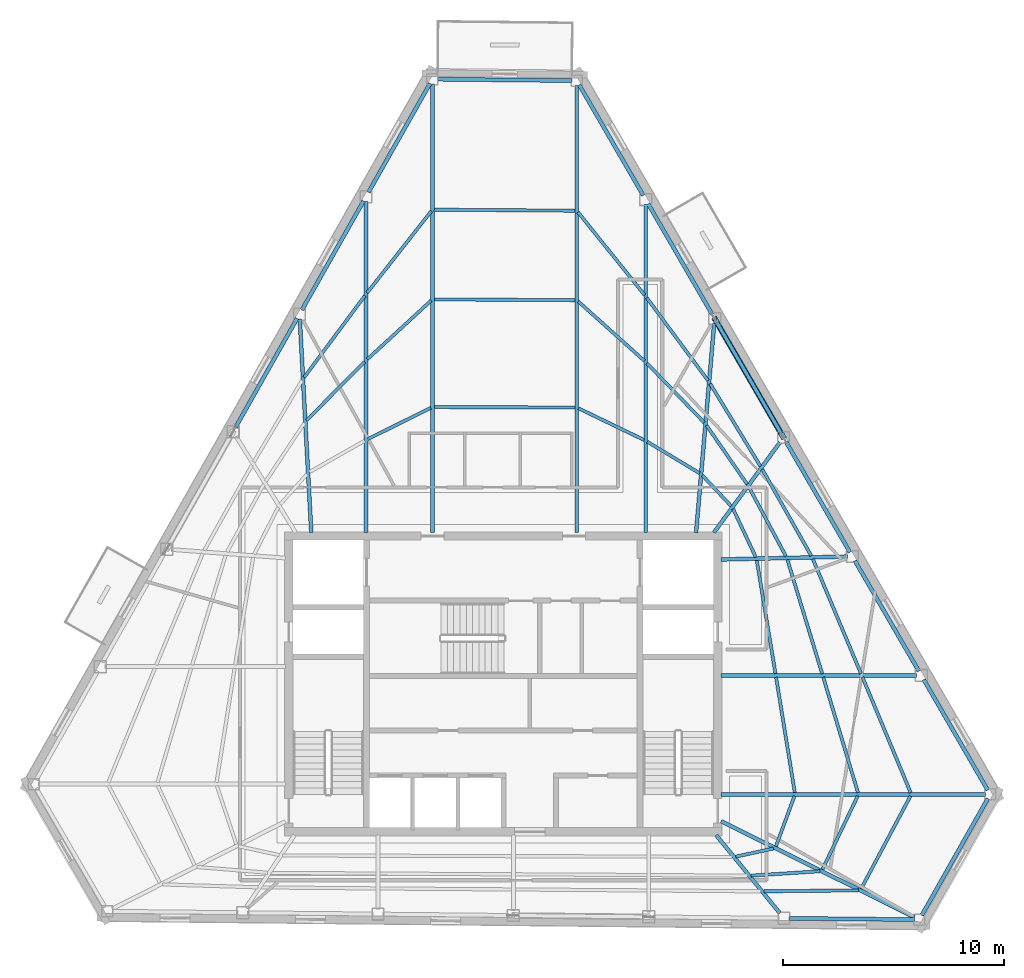
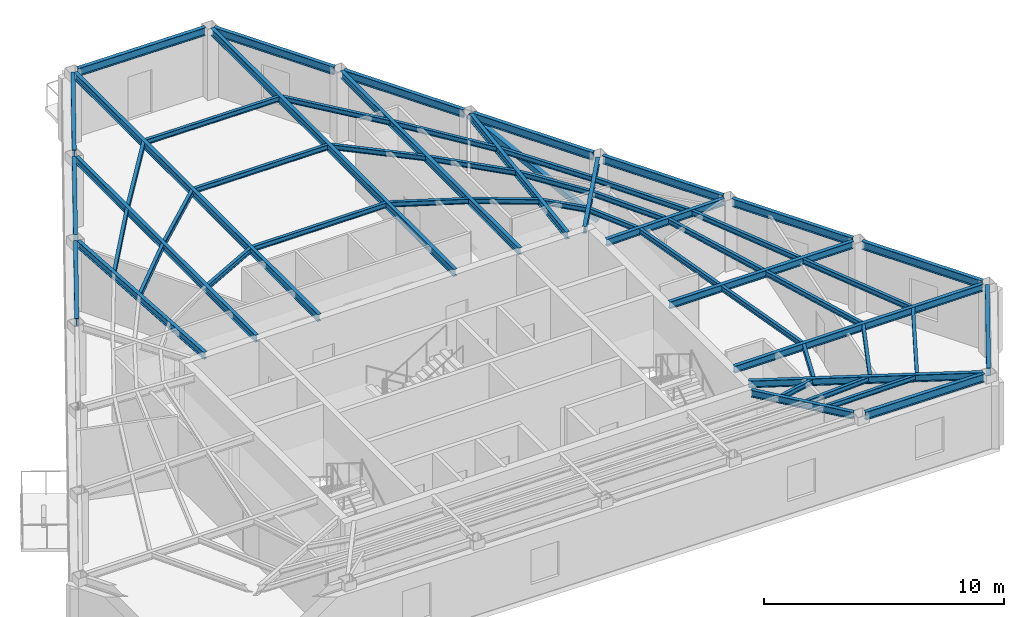
# One storey, part 2 of 10: 56 beams, 1 member.
"""IFC4 building model written with IfcOpenShell, lengths in metres."""

from ifc_helpers import new_model, si_unit, direction, frame, origin, origin_2d, place, context, subcontext, project, spatial, hollow_rectangle, i_section, extrude, material, material_profile, profile_set, type_object, element, save


model = new_model("IFC4")

# Units and contexts
model_context = context("Model", 3, precision=1e-05, world=origin(), true_north=direction((0.0, 1.0)))
body_context = subcontext(model_context, "Body", "Model", "MODEL_VIEW")
ifc_project = project(units=[si_unit("LENGTHUNIT", "METRE"), si_unit("AREAUNIT", "SQUARE_METRE"), si_unit("VOLUMEUNIT", "CUBIC_METRE"), si_unit("PLANEANGLEUNIT", "RADIAN"), si_unit("MASSUNIT", "GRAM", prefix="KILO")], contexts=[model_context])

# Site, building, storey
site_placement = place(None, origin())
site = spatial("IfcSite", under=ifc_project, at=site_placement, CompositionType="ELEMENT")
building_placement = place(site_placement, origin())
building = spatial("IfcBuilding", under=site, at=building_placement, Name="Kavelnor Concourse Tower", CompositionType="ELEMENT")
storey_placement = place(building_placement, frame((0.0, 0.0, 247.199951171875)))
storey = spatial("IfcBuildingStorey", under=building, at=storey_placement, Name="L62", CompositionType="ELEMENT", Elevation=247.199951171875)

# Beams
ifc_material = material(Name="Steel Grade 350", Category="steel")
ifc_material_profile_1 = material_profile(ifc_material, i_section(OverallWidth=0.14599609375, OverallDepth=0.256103515625, WebThickness=0.00634765625, FlangeThickness=0.010986328125, at=origin_2d()), Name="250UB37")
ifc_profile_set_1 = profile_set([ifc_material_profile_1], Name="Steel Grade 350")
beam_type_1 = type_object("IfcBeamType", Name="BM-JOIST-250", PredefinedType="JOIST", material=ifc_profile_set_1)
beam_1_placement = place(storey_placement, frame((48.526611328125, 8.279541015625, 3.48193359375), z_axis=(0.977382921626, 0.211477243489, 0.0), x_axis=(-0.211477243489, 0.977382921626, 0.0)))
element("IfcBeam", 1, at=beam_1_placement, inside=storey, type_object=beam_type_1, Name="L62 Secondary Composite Joist 07-1", PredefinedType="JOIST", context=body_context, shape_type="SweptSolid", body=[
    extrude(i_section(OverallWidth=0.14599609375, OverallDepth=0.256103515625, WebThickness=0.00634765625, FlangeThickness=0.010986328125, at=origin_2d()), origin(), (0.0, 0.0, 1.0), 1.74560546875),
])
beam_2_placement = place(storey_placement, frame((49.22021484375, 7.419921875, 3.48193359375), z_axis=(0.997969082864, 0.063700154225, 0.0), x_axis=(-0.063700154225, 0.997969082864, 0.0)))
element("IfcBeam", 2, at=beam_2_placement, inside=storey, type_object=beam_type_1, Name="L62 Secondary Composite Joist 07-2", PredefinedType="JOIST", context=body_context, shape_type="SweptSolid", body=[
    extrude(i_section(OverallWidth=0.14599609375, OverallDepth=0.256103515625, WebThickness=0.00634765625, FlangeThickness=0.010986328125, at=origin_2d()), origin(), (0.0, 0.0, 1.0), 3.115966796875),
])
beam_3_placement = place(storey_placement, frame((49.796875, 6.70947265625, 3.48193359375), z_axis=(0.999945565205, 0.010433917119, 0.0), x_axis=(-0.010433917119, 0.999945565205, 0.0)))
element("IfcBeam", 3, at=beam_3_placement, inside=storey, type_object=beam_type_1, Name="L62 Secondary Composite Joist 07-3", PredefinedType="JOIST", context=body_context, shape_type="SweptSolid", body=[
    extrude(i_section(OverallWidth=0.14599609375, OverallDepth=0.256103515625, WebThickness=0.00634765625, FlangeThickness=0.010986328125, at=origin_2d()), origin(), (0.0, 0.0, 1.0), 4.281982421875),
])
beam_4_placement = place(storey_placement, frame((50.34130859375, 8.742919921875, 3.48193359375), z_axis=(0.345598213723, 0.938382584382, 0.0), x_axis=(-0.938382584382, 0.345598213723, 0.0)))
element("IfcBeam", 4, at=beam_4_placement, inside=storey, type_object=beam_type_1, Name="L62 Secondary Composite Joist 08-1", PredefinedType="JOIST", context=body_context, shape_type="SweptSolid", body=[
    extrude(i_section(OverallWidth=0.14599609375, OverallDepth=0.256103515625, WebThickness=0.00634765625, FlangeThickness=0.010986328125, at=origin_2d()), origin(), (0.0, 0.0, 1.0), 2.4287109375),
])
beam_5_placement = place(storey_placement, frame((52.447265625, 7.697509765625, 3.48193359375), z_axis=(0.432681605604, 0.90154679755, 0.0), x_axis=(-0.90154679755, 0.432681605604, 0.0)))
element("IfcBeam", 5, at=beam_5_placement, inside=storey, type_object=beam_type_1, Name="L62 Secondary Composite Joist 08-2", PredefinedType="JOIST", context=body_context, shape_type="SweptSolid", body=[
    extrude(i_section(OverallWidth=0.14599609375, OverallDepth=0.256103515625, WebThickness=0.00634765625, FlangeThickness=0.010986328125, at=origin_2d()), origin(), (0.0, 0.0, 1.0), 3.690673828125),
])
beam_6_placement = place(storey_placement, frame((54.19921875, 6.827392578125, 3.48193359375), z_axis=(0.469716824249, 0.882817141325, 0.0), x_axis=(-0.882817141325, 0.469716824249, 0.0)))
element("IfcBeam", 6, at=beam_6_placement, inside=storey, type_object=beam_type_1, Name="L62 Secondary Composite Joist 08-3", PredefinedType="JOIST", context=body_context, shape_type="SweptSolid", body=[
    extrude(i_section(OverallWidth=0.14599609375, OverallDepth=0.256103515625, WebThickness=0.00634765625, FlangeThickness=0.010986328125, at=origin_2d()), origin(), (0.0, 0.0, 1.0), 4.75634765625),
])
beam_7_placement = place(storey_placement, frame((51.196044921875, 11.1796875, 3.48193359375), z_axis=(-0.160101543295, 0.987100550012, 0.0), x_axis=(-0.987100550012, -0.160101543295, 0.0)))
element("IfcBeam", 7, at=beam_7_placement, inside=storey, type_object=beam_type_1, Name="L62 Secondary Composite Joist 09-1", PredefinedType="JOIST", context=body_context, shape_type="SweptSolid", body=[
    extrude(i_section(OverallWidth=0.14599609375, OverallDepth=0.256103515625, WebThickness=0.00634765625, FlangeThickness=0.010986328125, at=origin_2d()), origin(), (0.0, 0.0, 1.0), 5.289794921875),
])
beam_8_placement = place(storey_placement, frame((54.05615234375, 11.17724609375, 3.48193359375), z_axis=(-0.288439182101, 0.957498218395, 0.0), x_axis=(-0.957498218395, -0.288439182101, 0.0)))
element("IfcBeam", 8, at=beam_8_placement, inside=storey, type_object=beam_type_1, Name="L62 Secondary Composite Joist 09-2", PredefinedType="JOIST", context=body_context, shape_type="SweptSolid", body=[
    extrude(i_section(OverallWidth=0.14599609375, OverallDepth=0.256103515625, WebThickness=0.00634765625, FlangeThickness=0.010986328125, at=origin_2d()), origin(), (0.0, 0.0, 1.0), 5.45849609375),
])
beam_9_placement = place(storey_placement, frame((56.4404296875, 11.174560546875, 3.48193359375), z_axis=(-0.384939515771, 0.922941801631, 0.0), x_axis=(-0.922941801631, -0.384939515771, 0.0)))
element("IfcBeam", 9, at=beam_9_placement, inside=storey, type_object=beam_type_1, Name="L62 Secondary Composite Joist 09-3", PredefinedType="JOIST", context=body_context, shape_type="SweptSolid", body=[
    extrude(i_section(OverallWidth=0.14599609375, OverallDepth=0.256103515625, WebThickness=0.00634765625, FlangeThickness=0.010986328125, at=origin_2d()), origin(), (0.0, 0.0, 1.0), 5.668701171875),
])
beam_10_placement = place(storey_placement, frame((50.322509765625, 16.563232421875, 3.48193359375), z_axis=(-0.163056544372, 0.986616725653, 0.0), x_axis=(-0.986616725653, -0.163056544372, 0.0)))
element("IfcBeam", 10, at=beam_10_placement, inside=storey, type_object=beam_type_1, Name="L62 Secondary Composite Joist 10-1", PredefinedType="JOIST", context=body_context, shape_type="SweptSolid", body=[
    extrude(i_section(OverallWidth=0.14599609375, OverallDepth=0.256103515625, WebThickness=0.00634765625, FlangeThickness=0.010986328125, at=origin_2d()), origin(), (0.0, 0.0, 1.0), 5.191162109375),
])
beam_11_placement = place(storey_placement, frame((52.43408203125, 16.560791015625, 3.48193359375), z_axis=(-0.291784881009, 0.956483969136, 0.0), x_axis=(-0.956483969136, -0.291784881009, 0.0)))
element("IfcBeam", 11, at=beam_11_placement, inside=storey, type_object=beam_type_1, Name="L62 Secondary Composite Joist 10-2", PredefinedType="JOIST", context=body_context, shape_type="SweptSolid", body=[
    extrude(i_section(OverallWidth=0.14599609375, OverallDepth=0.256103515625, WebThickness=0.00634765625, FlangeThickness=0.010986328125, at=origin_2d()), origin(), (0.0, 0.0, 1.0), 5.392578125),
])
beam_12_placement = place(storey_placement, frame((54.19482421875, 16.557861328125, 3.48193359375), z_axis=(-0.387498607619, 0.921870288649, 0.0), x_axis=(-0.921870288649, -0.387498607619, 0.0)))
element("IfcBeam", 12, at=beam_12_placement, inside=storey, type_object=beam_type_1, Name="L62 Secondary Composite Joist 10-3", PredefinedType="JOIST", context=body_context, shape_type="SweptSolid", body=[
    extrude(i_section(OverallWidth=0.14599609375, OverallDepth=0.256103515625, WebThickness=0.00634765625, FlangeThickness=0.010986328125, at=origin_2d()), origin(), (0.0, 0.0, 1.0), 5.630126953125),
])
beam_13_placement = place(storey_placement, frame((49.427734375, 21.83984375, 3.48193359375), z_axis=(-0.425708960765, 0.90486014429, 0.0), x_axis=(-0.90486014429, -0.425708960765, 0.0)))
element("IfcBeam", 13, at=beam_13_placement, inside=storey, type_object=beam_type_1, Name="L62 Secondary Composite Joist 11-1", PredefinedType="JOIST", context=body_context, shape_type="SweptSolid", body=[
    extrude(i_section(OverallWidth=0.14599609375, OverallDepth=0.256103515625, WebThickness=0.00634765625, FlangeThickness=0.010986328125, at=origin_2d()), origin(), (0.0, 0.0, 1.0), 2.40283203125),
])
beam_14_placement = place(storey_placement, frame((50.7978515625, 21.869384765625, 3.48193359375), z_axis=(-0.472003476845, 0.881596686612, 0.0), x_axis=(-0.881596686612, -0.472003476845, 0.0)))
element("IfcBeam", 14, at=beam_14_placement, inside=storey, type_object=beam_type_1, Name="L62 Secondary Composite Joist 11-2", PredefinedType="JOIST", context=body_context, shape_type="SweptSolid", body=[
    extrude(i_section(OverallWidth=0.14599609375, OverallDepth=0.256103515625, WebThickness=0.00634765625, FlangeThickness=0.010986328125, at=origin_2d()), origin(), (0.0, 0.0, 1.0), 3.544189453125),
])
beam_15_placement = place(storey_placement, frame((51.94091796875, 21.89501953125, 3.48193359375), z_axis=(-0.492892079031, 0.870090454165, 0.0), x_axis=(-0.870090454165, -0.492892079031, 0.0)))
element("IfcBeam", 15, at=beam_15_placement, inside=storey, type_object=beam_type_1, Name="L62 Secondary Composite Joist 11-3", PredefinedType="JOIST", context=body_context, shape_type="SweptSolid", body=[
    extrude(i_section(OverallWidth=0.14599609375, OverallDepth=0.256103515625, WebThickness=0.00634765625, FlangeThickness=0.010986328125, at=origin_2d()), origin(), (0.0, 0.0, 1.0), 4.4990234375),
])
beam_16_placement = place(storey_placement, frame((48.313720703125, 24.148193359375, 3.48193359375), z_axis=(-0.684586484083, 0.728931646871, 0.0), x_axis=(-0.728931646871, -0.684586484083, 0.0)))
element("IfcBeam", 16, at=beam_16_placement, inside=storey, type_object=beam_type_1, Name="L62 Secondary Composite Joist 12-1", PredefinedType="JOIST", context=body_context, shape_type="SweptSolid", body=[
    extrude(i_section(OverallWidth=0.14599609375, OverallDepth=0.256103515625, WebThickness=0.00634765625, FlangeThickness=0.010986328125, at=origin_2d()), origin(), (0.0, 0.0, 1.0), 1.8994140625),
])
beam_17_placement = place(storey_placement, frame((49.03955078125, 25.133544921875, 3.48193359375), z_axis=(-0.567958484304, 0.823057203423, 0.0), x_axis=(-0.823057203423, -0.567958484304, 0.0)))
element("IfcBeam", 17, at=beam_17_placement, inside=storey, type_object=beam_type_1, Name="L62 Secondary Composite Joist 12-2", PredefinedType="JOIST", context=body_context, shape_type="SweptSolid", body=[
    extrude(i_section(OverallWidth=0.14599609375, OverallDepth=0.256103515625, WebThickness=0.00634765625, FlangeThickness=0.010986328125, at=origin_2d()), origin(), (0.0, 0.0, 1.0), 3.23779296875),
])
beam_18_placement = place(storey_placement, frame((49.640380859375, 25.950927734375, 3.48193359375), z_axis=(-0.520484507177, 0.853871113102, 0.0), x_axis=(-0.853871113102, -0.520484507177, 0.0)))
element("IfcBeam", 18, at=beam_18_placement, inside=storey, type_object=beam_type_1, Name="L62 Secondary Composite Joist 12-3", PredefinedType="JOIST", context=body_context, shape_type="SweptSolid", body=[
    extrude(i_section(OverallWidth=0.14599609375, OverallDepth=0.256103515625, WebThickness=0.00634765625, FlangeThickness=0.010986328125, at=origin_2d()), origin(), (0.0, 0.0, 1.0), 4.379150390625),
])
beam_19_placement = place(storey_placement, frame((46.886962890625, 25.634521484375, 3.48193359375), z_axis=(-0.857118418105, 0.51511942047, 0.0), x_axis=(-0.51511942047, -0.857118418105, 0.0)))
element("IfcBeam", 19, at=beam_19_placement, inside=storey, type_object=beam_type_1, Name="L62 Secondary Composite Joist 13-1", PredefinedType="JOIST", context=body_context, shape_type="SweptSolid", body=[
    extrude(i_section(OverallWidth=0.14599609375, OverallDepth=0.256103515625, WebThickness=0.00634765625, FlangeThickness=0.010986328125, at=origin_2d()), origin(), (0.0, 0.0, 1.0), 2.7626953125),
])
beam_20_placement = place(storey_placement, frame((47.097412109375, 27.9248046875, 3.48193359375), z_axis=(-0.694957790397, 0.719050533389, 0.0), x_axis=(-0.719050533389, -0.694957790397, 0.0)))
element("IfcBeam", 20, at=beam_20_placement, inside=storey, type_object=beam_type_1, Name="L62 Secondary Composite Joist 13-2", PredefinedType="JOIST", context=body_context, shape_type="SweptSolid", body=[
    extrude(i_section(OverallWidth=0.14599609375, OverallDepth=0.256103515625, WebThickness=0.00634765625, FlangeThickness=0.010986328125, at=origin_2d()), origin(), (0.0, 0.0, 1.0), 3.72900390625),
])
beam_21_placement = place(storey_placement, frame((47.26953125, 29.826171875, 3.48193359375), z_axis=(-0.594999435266, 0.803726117551, 0.0), x_axis=(-0.803726117551, -0.594999435266, 0.0)))
element("IfcBeam", 21, at=beam_21_placement, inside=storey, type_object=beam_type_1, Name="L62 Secondary Composite Joist 13-3", PredefinedType="JOIST", context=body_context, shape_type="SweptSolid", body=[
    extrude(i_section(OverallWidth=0.14599609375, OverallDepth=0.256103515625, WebThickness=0.00634765625, FlangeThickness=0.010986328125, at=origin_2d()), origin(), (0.0, 0.0, 1.0), 4.65869140625),
])
beam_22_placement = place(storey_placement, frame((44.375, 27.135498046875, 3.48193359375), z_axis=(-0.900354750959, 0.435156664233, 0.0), x_axis=(-0.435156664233, -0.900354750959, 0.0)))
element("IfcBeam", 22, at=beam_22_placement, inside=storey, type_object=beam_type_1, Name="L62 Secondary Composite Joist 14-1", PredefinedType="JOIST", context=body_context, shape_type="SweptSolid", body=[
    extrude(i_section(OverallWidth=0.14599609375, OverallDepth=0.256103515625, WebThickness=0.00634765625, FlangeThickness=0.010986328125, at=origin_2d()), origin(), (0.0, 0.0, 1.0), 3.299560546875),
])
beam_23_placement = place(storey_placement, frame((44.3876953125, 30.719970703125, 3.48193359375), z_axis=(-0.744128671931, 0.668036316087, 0.0), x_axis=(-0.668036316087, -0.744128671931, 0.0)))
element("IfcBeam", 23, at=beam_23_placement, inside=storey, type_object=beam_type_1, Name="L62 Secondary Composite Joist 14-2", PredefinedType="JOIST", context=body_context, shape_type="SweptSolid", body=[
    extrude(i_section(OverallWidth=0.14599609375, OverallDepth=0.256103515625, WebThickness=0.00634765625, FlangeThickness=0.010986328125, at=origin_2d()), origin(), (0.0, 0.0, 1.0), 4.026611328125),
])
beam_24_placement = place(storey_placement, frame((44.3974609375, 33.7001953125, 3.48193359375), z_axis=(-0.626846391462, 0.779142863351, 0.0), x_axis=(-0.779142863351, -0.626846391462, 0.0)))
element("IfcBeam", 24, at=beam_24_placement, inside=storey, type_object=beam_type_1, Name="L62 Secondary Composite Joist 14-3", PredefinedType="JOIST", context=body_context, shape_type="SweptSolid", body=[
    extrude(i_section(OverallWidth=0.14599609375, OverallDepth=0.256103515625, WebThickness=0.00634765625, FlangeThickness=0.010986328125, at=origin_2d()), origin(), (0.0, 0.0, 1.0), 4.810791015625),
])
for number, where, z_axis, x_axis, name in (
    (25, (41.248291015625, 28.607421875, 3.48193359375), (-0.999995868811, 0.002874432399, 0.0), (-0.002874432399, -0.999995868811, 0.0), "L62 Secondary Composite Joist 15-1"),
    (26, (41.248291015625, 33.465087890625, 3.48193359375), (-0.999985810221, 0.005327227795, 0.0), (-0.005327227795, -0.999985810221, 0.0), "L62 Secondary Composite Joist 15-2"),
):
    element("IfcBeam", number, at=place(storey_placement, frame(where, z_axis=z_axis, x_axis=x_axis)), inside=storey, type_object=beam_type_1, Name=name, PredefinedType="JOIST", context=body_context, shape_type="SweptSolid", body=[
        extrude(i_section(OverallWidth=0.14599609375, OverallDepth=0.256103515625, WebThickness=0.00634765625, FlangeThickness=0.010986328125, at=origin_2d()), origin(), (0.0, 0.0, 1.0), 6.3701171875),
    ])
beam_25_placement = place(storey_placement, frame((41.248291015625, 37.51318359375, 3.48193359375), z_axis=(-0.999972644034, 0.007396700916, 0.0), x_axis=(-0.007396700916, -0.999972644034, 0.0)))
element("IfcBeam", 27, at=beam_25_placement, inside=storey, type_object=beam_type_1, Name="L62 Secondary Composite Joist 15-3", PredefinedType="JOIST", context=body_context, shape_type="SweptSolid", body=[
    extrude(i_section(OverallWidth=0.14599609375, OverallDepth=0.256103515625, WebThickness=0.00634765625, FlangeThickness=0.010986328125, at=origin_2d()), origin(), (0.0, 0.0, 1.0), 6.370361328125),
])
beam_26_placement = place(storey_placement, frame((34.72265625, 28.589599609375, 3.48193359375), z_axis=(-0.896179435313, -0.443691807139, 0.0), x_axis=(0.443691807139, -0.896179435313, 0.0)))
element("IfcBeam", 28, at=beam_26_placement, inside=storey, type_object=beam_type_1, Name="L62 Secondary Composite Joist 16-1", PredefinedType="JOIST", context=body_context, shape_type="SweptSolid", body=[
    extrude(i_section(OverallWidth=0.14599609375, OverallDepth=0.256103515625, WebThickness=0.00634765625, FlangeThickness=0.010986328125, at=origin_2d()), origin(), (0.0, 0.0, 1.0), 3.19189453125),
])
beam_27_placement = place(storey_placement, frame((34.735595703125, 33.444091796875, 3.48193359375), z_axis=(-0.736091063276, -0.676882520505, 0.0), x_axis=(0.676882520505, -0.736091063276, 0.0)))
element("IfcBeam", 29, at=beam_27_placement, inside=storey, type_object=beam_type_1, Name="L62 Secondary Composite Joist 16-2", PredefinedType="JOIST", context=body_context, shape_type="SweptSolid", body=[
    extrude(i_section(OverallWidth=0.14599609375, OverallDepth=0.256103515625, WebThickness=0.00634765625, FlangeThickness=0.010986328125, at=origin_2d()), origin(), (0.0, 0.0, 1.0), 3.92138671875),
])
beam_28_placement = place(storey_placement, frame((34.745361328125, 37.49658203125, 3.48193359375), z_axis=(-0.61770236715, -0.786411969401, 0.0), x_axis=(0.786411969401, -0.61770236715, 0.0)))
element("IfcBeam", 30, at=beam_28_placement, inside=storey, type_object=beam_type_1, Name="L62 Secondary Composite Joist 16-3", PredefinedType="JOIST", context=body_context, shape_type="SweptSolid", body=[
    extrude(i_section(OverallWidth=0.14599609375, OverallDepth=0.256103515625, WebThickness=0.00634765625, FlangeThickness=0.010986328125, at=origin_2d()), origin(), (0.0, 0.0, 1.0), 4.70458984375),
])
beam_29_placement = place(storey_placement, frame((31.730712890625, 30.67626953125, 3.48193359375), z_axis=(-0.704649922193, -0.709555133272, 0.0), x_axis=(0.709555133272, -0.704649922193, 0.0)))
element("IfcBeam", 31, at=beam_29_placement, inside=storey, type_object=beam_type_1, Name="L62 Secondary Composite Joist 17-2", PredefinedType="JOIST", context=body_context, shape_type="SweptSolid", body=[
    extrude(i_section(OverallWidth=0.14599609375, OverallDepth=0.256103515625, WebThickness=0.00634765625, FlangeThickness=0.010986328125, at=origin_2d()), origin(), (0.0, 0.0, 1.0), 3.73291015625),
])
beam_30_placement = place(storey_placement, frame((31.739501953125, 33.66650390625, 3.48193359375), z_axis=(-0.59710590541, -0.802162413558, 0.0), x_axis=(0.802162413558, -0.59710590541, 0.0)))
element("IfcBeam", 32, at=beam_30_placement, inside=storey, type_object=beam_type_1, Name="L62 Secondary Composite Joist 17-3", PredefinedType="JOIST", context=body_context, shape_type="SweptSolid", body=[
    extrude(i_section(OverallWidth=0.14599609375, OverallDepth=0.256103515625, WebThickness=0.00634765625, FlangeThickness=0.010986328125, at=origin_2d()), origin(), (0.0, 0.0, 1.0), 4.60888671875),
])
ifc_material_profile_2 = material_profile(ifc_material, i_section(OverallWidth=0.172119140625, OverallDepth=0.35888671875, WebThickness=0.008056640625, FlangeThickness=0.012939453125, at=origin_2d()), Name="360UB56")
ifc_profile_set_2 = profile_set([ifc_material_profile_2], Name="Steel Grade 350")
beam_type_2 = type_object("IfcBeamType", Name="BM-PRIMARY-360", PredefinedType="BEAM", material=ifc_profile_set_2)
beam_31_placement = place(storey_placement, frame((34.796142578125, 22.93994140625, 3.4306640625), z_axis=(0.0, 1.0, 0.0), x_axis=(-1.0, 0.0, 0.0)))
element("IfcBeam", 33, at=beam_31_placement, inside=storey, type_object=beam_type_2, Name="L62 Primary Floor Girder F0-B0", PredefinedType="BEAM", context=body_context, shape_type="SweptSolid", body=[
    extrude(i_section(OverallWidth=0.172119140625, OverallDepth=0.35888671875, WebThickness=0.008056640625, FlangeThickness=0.012939453125, at=origin_2d()), origin(), (0.0, 0.0, 1.0), 20.306884765625),
])
beam_32_placement = place(storey_placement, frame((31.78857421875, 22.93994140625, 3.4306640625), z_axis=(0.0, 1.0, 0.0), x_axis=(-1.0, 0.0, 0.0)))
element("IfcBeam", 34, at=beam_32_placement, inside=storey, type_object=beam_type_2, Name="L62 Primary Floor Girder F0-B1", PredefinedType="BEAM", context=body_context, shape_type="SweptSolid", body=[
    extrude(i_section(OverallWidth=0.172119140625, OverallDepth=0.35888671875, WebThickness=0.008056640625, FlangeThickness=0.012939453125, at=origin_2d()), origin(), (0.0, 0.0, 1.0), 14.9892578125),
])
beam_33_placement = place(storey_placement, frame((29.313232421875, 22.940185546875, 3.4306640625), z_axis=(-0.053740228526, 0.998554949834, 0.0), x_axis=(-0.998554949834, -0.053740228526, 0.0)))
element("IfcBeam", 35, at=beam_33_placement, inside=storey, type_object=beam_type_2, Name="L62 Primary Floor Girder F0-B2", PredefinedType="BEAM", context=body_context, shape_type="SweptSolid", body=[
    extrude(i_section(OverallWidth=0.172119140625, OverallDepth=0.35888671875, WebThickness=0.008056640625, FlangeThickness=0.012939453125, at=origin_2d()), origin(), (0.0, 0.0, 1.0), 9.685546875),
])
beam_34_placement = place(storey_placement, frame((47.639404296875, 9.2509765625, 3.4306640625), z_axis=(0.632365339075, -0.774670302733, 0.0), x_axis=(0.774670302733, 0.632365339075, 0.0)))
element("IfcBeam", 36, at=beam_34_placement, inside=storey, type_object=beam_type_2, Name="L62 Primary Floor Girder F1-B5", PredefinedType="BEAM", context=body_context, shape_type="SweptSolid", body=[
    extrude(i_section(OverallWidth=0.172119140625, OverallDepth=0.35888671875, WebThickness=0.008056640625, FlangeThickness=0.012939453125, at=origin_2d()), origin(), (0.0, 0.0, 1.0), 4.558349609375),
])
beam_35_placement = place(storey_placement, frame((47.8642578125, 9.882080078125, 3.4306640625), z_axis=(0.895634097379, -0.444791595708, 0.0), x_axis=(0.444791595708, 0.895634097379, 0.0)))
element("IfcBeam", 37, at=beam_35_placement, inside=storey, type_object=beam_type_2, Name="L62 Primary Floor Girder F1-B6", PredefinedType="BEAM", context=body_context, shape_type="SweptSolid", body=[
    extrude(i_section(OverallWidth=0.172119140625, OverallDepth=0.35888671875, WebThickness=0.008056640625, FlangeThickness=0.012939453125, at=origin_2d()), origin(), (0.0, 0.0, 1.0), 9.76416015625),
])
beam_36_placement = place(storey_placement, frame((47.860107421875, 11.098876953125, 3.4306640625), z_axis=(1.0, 0.0, 0.0), x_axis=(0.0, 1.0, 0.0)))
element("IfcBeam", 38, at=beam_36_placement, inside=storey, type_object=beam_type_2, Name="L62 Primary Floor Girder F2-B0", PredefinedType="BEAM", context=body_context, shape_type="SweptSolid", body=[
    extrude(i_section(OverallWidth=0.172119140625, OverallDepth=0.35888671875, WebThickness=0.008056640625, FlangeThickness=0.012939453125, at=origin_2d()), origin(), (0.0, 0.0, 1.0), 11.9609375),
])
beam_37_placement = place(storey_placement, frame((47.860107421875, 16.482421875, 3.4306640625), z_axis=(1.0, 0.0, 0.0), x_axis=(0.0, 1.0, 0.0)))
element("IfcBeam", 39, at=beam_37_placement, inside=storey, type_object=beam_type_2, Name="L62 Primary Floor Girder F2-B1", PredefinedType="BEAM", context=body_context, shape_type="SweptSolid", body=[
    extrude(i_section(OverallWidth=0.172119140625, OverallDepth=0.35888671875, WebThickness=0.008056640625, FlangeThickness=0.012939453125, at=origin_2d()), origin(), (0.0, 0.0, 1.0), 8.842529296875),
])
beam_38_placement = place(storey_placement, frame((47.860107421875, 21.728515625, 3.4306640625), z_axis=(0.999733871941, 0.023069141596, 0.0), x_axis=(-0.023069141596, 0.999733871941, 0.0)))
element("IfcBeam", 40, at=beam_38_placement, inside=storey, type_object=beam_type_2, Name="L62 Primary Floor Girder F2-B2", PredefinedType="BEAM", context=body_context, shape_type="SweptSolid", body=[
    extrude(i_section(OverallWidth=0.172119140625, OverallDepth=0.35888671875, WebThickness=0.008056640625, FlangeThickness=0.012939453125, at=origin_2d()), origin(), (0.0, 0.0, 1.0), 5.725341796875),
])
beam_39_placement = place(storey_placement, frame((47.5341796875, 22.94775390625, 3.4306640625), z_axis=(0.591005217013, 0.80666773424, 0.0), x_axis=(-0.80666773424, 0.591005217013, 0.0)))
element("IfcBeam", 41, at=beam_39_placement, inside=storey, type_object=beam_type_2, Name="L62 Primary Floor Girder F2-B3", PredefinedType="BEAM", context=body_context, shape_type="SweptSolid", body=[
    extrude(i_section(OverallWidth=0.172119140625, OverallDepth=0.35888671875, WebThickness=0.008056640625, FlangeThickness=0.012939453125, at=origin_2d()), origin(), (0.0, 0.0, 1.0), 5.050048828125),
])
beam_40_placement = place(storey_placement, frame((46.7275390625, 22.940185546875, 3.4306640625), z_axis=(0.086302738957, 0.996268958288, 0.0), x_axis=(-0.996268958288, 0.086302738957, 0.0)))
element("IfcBeam", 42, at=beam_40_placement, inside=storey, type_object=beam_type_2, Name="L62 Primary Floor Girder F2-B4", PredefinedType="BEAM", context=body_context, shape_type="SweptSolid", body=[
    extrude(i_section(OverallWidth=0.172119140625, OverallDepth=0.35888671875, WebThickness=0.008056640625, FlangeThickness=0.012939453125, at=origin_2d()), origin(), (0.0, 0.0, 1.0), 9.5078125),
])
beam_41_placement = place(storey_placement, frame((44.44873046875, 22.93994140625, 3.4306640625), z_axis=(0.0, 1.0, 0.0), x_axis=(-1.0, 0.0, 0.0)))
element("IfcBeam", 43, at=beam_41_placement, inside=storey, type_object=beam_type_2, Name="L62 Primary Floor Girder F2-B5", PredefinedType="BEAM", context=body_context, shape_type="SweptSolid", body=[
    extrude(i_section(OverallWidth=0.172119140625, OverallDepth=0.35888671875, WebThickness=0.008056640625, FlangeThickness=0.012939453125, at=origin_2d()), origin(), (0.0, 0.0, 1.0), 14.856201171875),
])
beam_42_placement = place(storey_placement, frame((41.330322265625, 22.93994140625, 3.4306640625), z_axis=(0.0, 1.0, 0.0), x_axis=(-1.0, 0.0, 0.0)))
element("IfcBeam", 44, at=beam_42_placement, inside=storey, type_object=beam_type_2, Name="L62 Primary Floor Girder F2-B6", PredefinedType="BEAM", context=body_context, shape_type="SweptSolid", body=[
    extrude(i_section(OverallWidth=0.172119140625, OverallDepth=0.35888671875, WebThickness=0.008056640625, FlangeThickness=0.012939453125, at=origin_2d()), origin(), (0.0, 0.0, 1.0), 20.23974609375),
])
ifc_material_profile_3 = material_profile(ifc_material, i_section(OverallWidth=0.177978515625, OverallDepth=0.406005859375, WebThickness=0.0078125, FlangeThickness=0.0126953125, at=origin_2d()), Name="410UB59")
ifc_profile_set_3 = profile_set([ifc_material_profile_3], Name="Steel Grade 350")
beam_type_3 = type_object("IfcBeamType", Name="BM-SPANDREL-Z4", PredefinedType="SPANDREL", material=ifc_profile_set_3)
beam_43_placement = place(storey_placement, frame((34.685302734375, 43.27099609375, 3.406982421875), z_axis=(-0.49229179951, -0.870430229332, 0.0), x_axis=(0.870430229332, -0.49229179951, 0.0)))
element("IfcBeam", 45, at=beam_43_placement, inside=storey, type_object=beam_type_3, Name="L62 Perimeter Tube Spandrel Beam F0-B0", PredefinedType="SPANDREL", context=body_context, shape_type="SweptSolid", body=[
    extrude(i_section(OverallWidth=0.177978515625, OverallDepth=0.406005859375, WebThickness=0.0078125, FlangeThickness=0.0126953125, at=origin_2d()), origin(), (0.0, 0.0, 1.0), 5.658935546875),
])
for number, where, z_axis, x_axis, name in (
    (46, (31.677734375, 37.95361328125, 3.406982421875), (-0.49227331356, -0.870440684226, 0.0), (0.870440684226, -0.49227331356, 0.0), "L62 Perimeter Tube Spandrel Beam F0-B1"),
    (47, (28.670166015625, 32.635986328125, 3.406982421875), (-0.49227331356, -0.870440684226, 0.0), (0.870440684226, -0.49227331356, 0.0), "L62 Perimeter Tube Spandrel Beam F0-B2"),
):
    element("IfcBeam", number, at=place(storey_placement, frame(where, z_axis=z_axis, x_axis=x_axis)), inside=storey, type_object=beam_type_3, Name=name, PredefinedType="SPANDREL", context=body_context, shape_type="SweptSolid", body=[
        extrude(i_section(OverallWidth=0.177978515625, OverallDepth=0.406005859375, WebThickness=0.0078125, FlangeThickness=0.0126953125, at=origin_2d()), origin(), (0.0, 0.0, 1.0), 5.6591796875),
    ])
beam_44_placement = place(storey_placement, frame((41.10546875, 43.40185546875, 3.406982421875), z_axis=(-0.999946833774, 0.010311625723, 0.0), x_axis=(-0.010311625723, -0.999946833774, 0.0)))
element("IfcBeam", 48, at=beam_44_placement, inside=storey, type_object=beam_type_3, Name="L62 Chamfer Facet Spandrel Beam C0", PredefinedType="SPANDREL", context=body_context, shape_type="SweptSolid", body=[
    extrude(i_section(OverallWidth=0.177978515625, OverallDepth=0.406005859375, WebThickness=0.0078125, FlangeThickness=0.0126953125, at=origin_2d()), origin(), (0.0, 0.0, 1.0), 6.084716796875),
])
beam_45_placement = place(storey_placement, frame((50.933837890625, 5.488525390625, 3.406982421875), z_axis=(0.999946698917, -0.010324694878, 0.0), x_axis=(0.010324694878, 0.999946698917, 0.0)))
element("IfcBeam", 49, at=beam_45_placement, inside=storey, type_object=beam_type_3, Name="L62 Perimeter Tube Spandrel Beam F1-B5", PredefinedType="SPANDREL", context=body_context, shape_type="SweptSolid", body=[
    extrude(i_section(OverallWidth=0.177978515625, OverallDepth=0.406005859375, WebThickness=0.0078125, FlangeThickness=0.0126953125, at=origin_2d()), origin(), (0.0, 0.0, 1.0), 5.675048828125),
])
beam_46_placement = place(storey_placement, frame((59.92822265625, 11.29345703125, 3.406982421875), z_axis=(-0.501228018252, 0.865315245283, 0.0), x_axis=(-0.865315245283, -0.501228018252, 0.0)))
element("IfcBeam", 50, at=beam_46_placement, inside=storey, type_object=beam_type_3, Name="L62 Perimeter Tube Spandrel Beam F2-B0", PredefinedType="SPANDREL", context=body_context, shape_type="SweptSolid", body=[
    extrude(i_section(OverallWidth=0.177978515625, OverallDepth=0.406005859375, WebThickness=0.0078125, FlangeThickness=0.0126953125, at=origin_2d()), origin(), (0.0, 0.0, 1.0), 5.771484375),
])
beam_47_placement = place(storey_placement, frame((56.809814453125, 16.677001953125, 3.406982421875), z_axis=(-0.501246365738, 0.865304617366, 0.0), x_axis=(-0.865304617366, -0.501246365738, 0.0)))
element("IfcBeam", 51, at=beam_47_placement, inside=storey, type_object=beam_type_3, Name="L62 Perimeter Tube Spandrel Beam F2-B1", PredefinedType="SPANDREL", context=body_context, shape_type="SweptSolid", body=[
    extrude(i_section(OverallWidth=0.177978515625, OverallDepth=0.406005859375, WebThickness=0.0078125, FlangeThickness=0.0126953125, at=origin_2d()), origin(), (0.0, 0.0, 1.0), 5.771240234375),
])
for number, where, z_axis, x_axis, name in (
    (52, (53.69140625, 22.060302734375, 3.406982421875), (-0.501228018252, 0.865315245283, 0.0), (-0.865315245283, -0.501228018252, 0.0), "L62 Perimeter Tube Spandrel Beam F2-B2"),
    (53, (50.572998046875, 27.44384765625, 3.406982421875), (-0.501228018252, 0.865315245283, 0.0), (-0.865315245283, -0.501228018252, 0.0), "L62 Perimeter Tube Spandrel Beam F2-B3"),
    (54, (47.45458984375, 32.827392578125, 3.406982421875), (-0.501278039071, 0.86528626913, 0.0), (-0.86528626913, -0.501278039071, 0.0), "L62 Perimeter Tube Spandrel Beam F2-B4"),
    (55, (44.3359375, 38.210693359375, 3.406982421875), (-0.501228018252, 0.865315245283, 0.0), (-0.865315245283, -0.501228018252, 0.0), "L62 Perimeter Tube Spandrel Beam F2-B5"),
):
    element("IfcBeam", number, at=place(storey_placement, frame(where, z_axis=z_axis, x_axis=x_axis)), inside=storey, type_object=beam_type_3, Name=name, PredefinedType="SPANDREL", context=body_context, shape_type="SweptSolid", body=[
        extrude(i_section(OverallWidth=0.177978515625, OverallDepth=0.406005859375, WebThickness=0.0078125, FlangeThickness=0.0126953125, at=origin_2d()), origin(), (0.0, 0.0, 1.0), 5.771484375),
    ])
beam_48_placement = place(storey_placement, frame((56.9443359375, 5.62353515625, 3.406982421875), z_axis=(0.492276087134, 0.87043911564, 0.0), x_axis=(-0.87043911564, 0.492276087134, 0.0)))
element("IfcBeam", 56, at=beam_48_placement, inside=storey, type_object=beam_type_3, Name="L62 Chamfer Facet Spandrel Beam C2", PredefinedType="SPANDREL", context=body_context, shape_type="SweptSolid", body=[
    extrude(i_section(OverallWidth=0.177978515625, OverallDepth=0.406005859375, WebThickness=0.0078125, FlangeThickness=0.0126953125, at=origin_2d()), origin(), (0.0, 0.0, 1.0), 6.0654296875),
])

# Member
ifc_material_profile_4 = material_profile(ifc_material, hollow_rectangle(XDim=0.25, YDim=0.25, WallThickness=0.01611328125, at=origin_2d()), Name="SHS 250x250x16")
ifc_profile_set_4 = profile_set([ifc_material_profile_4], Name="Steel Grade 350")
member_type = type_object("IfcMemberType", Name="MBR-TUBE-DIAG-Z4", PredefinedType="BRACE", material=ifc_profile_set_4)
member_placement = place(storey_placement, frame((50.685791015625, 27.249267578125, 0.219970703125), z_axis=(-0.446106086231, 0.770146818092, 0.455920210574), x_axis=(-0.865313423984, -0.501231162512, 0.0)))
element("IfcMember", 57, at=member_placement, inside=storey, type_object=member_type, Name="L62 Framed-Tube Bracing Diagonal F2-B3", PredefinedType="BRACE", context=body_context, shape_type="SweptSolid", body=[
    extrude(hollow_rectangle(XDim=0.25, YDim=0.25, WallThickness=0.01611328125, at=origin_2d()), origin(), (0.0, 0.0, 1.0), 6.990234375),
])

save(model, "model.ifc")
